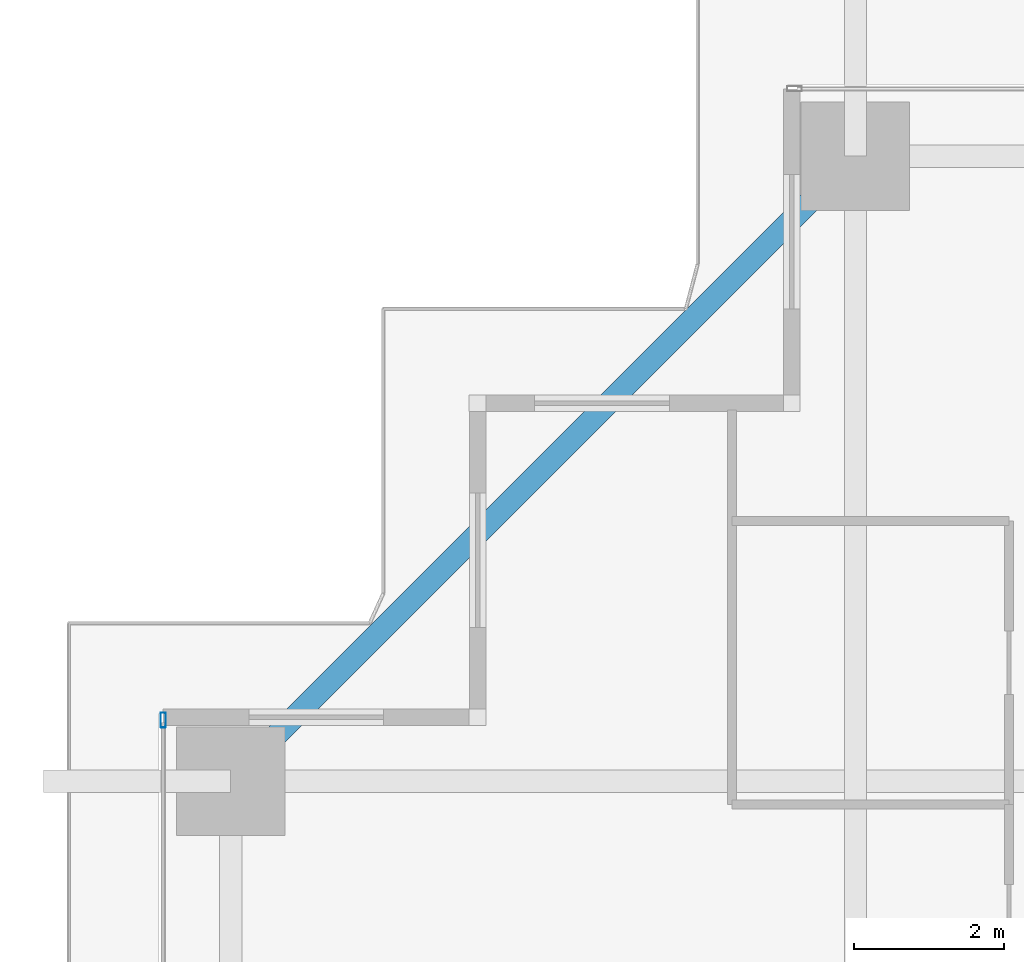
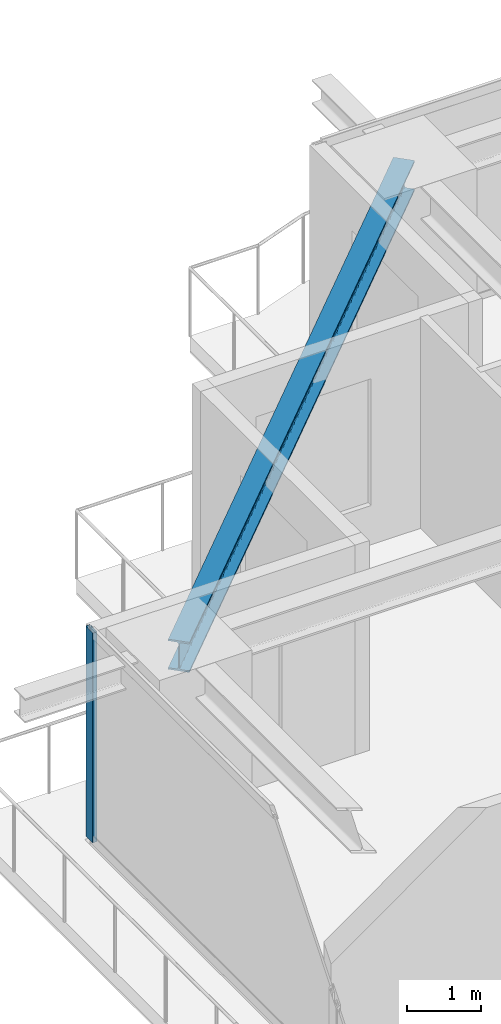
# One storey, part 18 of 39: 1 beam, 1 member, 1 element without a shape of its own.
"""IFC4 building model written with IfcOpenShell, lengths in metres."""

from ifc_helpers import new_model, si_unit, direction, frame, origin, origin_2d, place, context, subcontext, project, spatial, hollow_rectangle, i_section, extrude, source, transform, mapped, material, layer, layer_set, material_profile, profile_set, type_object, element, aggregate, save


model = new_model("IFC4")

# Units and contexts
model_context = context("Model", 3, precision=1e-05, world=origin(), true_north=direction((0.0, 1.0)))
body_context = subcontext(model_context, "Body", "Model", "MODEL_VIEW")
ifc_project = project(units=[si_unit("LENGTHUNIT", "METRE"), si_unit("AREAUNIT", "SQUARE_METRE"), si_unit("VOLUMEUNIT", "CUBIC_METRE"), si_unit("PLANEANGLEUNIT", "RADIAN"), si_unit("MASSUNIT", "GRAM", prefix="KILO")], contexts=[model_context])

# Site, building, storey
site_placement = place(None, origin())
site = spatial("IfcSite", under=ifc_project, at=site_placement, CompositionType="ELEMENT")
building_placement = place(site_placement, origin())
building = spatial("IfcBuilding", under=site, at=building_placement, Name="Serunith Strait Residences", CompositionType="ELEMENT")
storey_placement = place(building_placement, frame((0.0, 0.0, 97.949951171875)))
storey = spatial("IfcBuildingStorey", under=building, at=storey_placement, Name="L24", CompositionType="ELEMENT", Elevation=97.949951171875)

# Beam
ifc_material_1 = material(Name="Steel S355J2", Category="steel")
ifc_material_profile_1 = material_profile(ifc_material_1, i_section(OverallWidth=0.300048828125, OverallDepth=0.5, WebThickness=0.014404296875, FlangeThickness=0.028076171875, FilletRadius=0.027099609375, at=origin_2d()), Name="HEB 500")
ifc_profile_set_1 = profile_set([ifc_material_profile_1], Name="Steel S355J2")
beam_type = type_object("IfcBeamType", Name="BM-HEB500", PredefinedType="BEAM", material=ifc_profile_set_1)
shared_shape_1 = source(origin(), body_context, "Body", "SweptSolid", [
    extrude(i_section(OverallWidth=0.300048828125, OverallDepth=0.5, WebThickness=0.014404296875, FlangeThickness=0.028076171875, FilletRadius=0.027099609375, at=origin_2d()), origin(), (0.0, 0.0, 1.0), 11.808837890625),
])
beam_placement = place(storey_placement, frame((15.25, 49.300048828125, 3.20703125), z_axis=(-0.707106781187, -0.707106781187, 0.0), x_axis=(0.707106781187, -0.707106781187, 0.0)))
element("IfcBeam", 1, at=beam_placement, inside=storey, type_object=beam_type, Name="L24 Perimeter Ring Beam 12", PredefinedType="BEAM", context=body_context, shape_type="MappedRepresentation", body=[
    mapped(shared_shape_1, transform((0.0, 0.0, 0.0), scale=1.0)),
])

# Curtain wall, member
ifc_material_2 = material(Name="Pale-Champagne Anodised Aluminium", Category="aluminium")
ifc_layer = layer(ifc_material_2, 0.199951171875, Name="Pale-Champagne Anodised Aluminium")
ifc_layer_set = layer_set([ifc_layer], Name="Pale-Champagne Anodised Aluminium")
curtain_wall_type = type_object("IfcCurtainWallType", Name="CW-SYS1", PredefinedType="NOTDEFINED", material=ifc_layer_set)
curtain_wall_placement = place(storey_placement, origin())
curtain_wall = element("IfcCurtainWall", 2, at=curtain_wall_placement, inside=storey, type_object=curtain_wall_type, Name="L24 W Unitised Fritted Curtain Wall", PredefinedType="NOTDEFINED")
ifc_material_profile_2 = material_profile(ifc_material_2, hollow_rectangle(XDim=0.070068359375, YDim=0.199951171875, WallThickness=0.00390625, InnerFilletRadius=0.006103515625, OuterFilletRadius=0.010009765625, at=origin_2d()), Name="ALU 200x70x4")
ifc_profile_set_2 = profile_set([ifc_material_profile_2], Name="Pale-Champagne Anodised Aluminium")
member_type = type_object("IfcMemberType", Name="CW-SYS1-MULL", PredefinedType="MULLION", material=ifc_profile_set_2)
shared_shape_2 = source(origin(), body_context, "Body", "SweptSolid", [
    extrude(hollow_rectangle(XDim=0.070068359375, YDim=0.199951171875, WallThickness=0.00390625, InnerFilletRadius=0.006103515625, OuterFilletRadius=0.010009765625, at=origin_2d()), origin(), (0.0, 0.0, 1.0), 3.47509765625),
])
member_placement = place(storey_placement, frame((6.0, 41.764892578125, 0.0), z_axis=(0.0, 0.0, 1.0), x_axis=(1.0, 0.0, 0.0)))
member = element("IfcMember", 3, at=member_placement, type_object=member_type, Name="CW-1 mullion 1", PredefinedType="MULLION", context=body_context, shape_type="MappedRepresentation", body=[
    mapped(shared_shape_2, transform((0.0, 0.0, 0.0), scale=1.0)),
])
aggregate(curtain_wall, [member])

save(model, "model.ifc")
